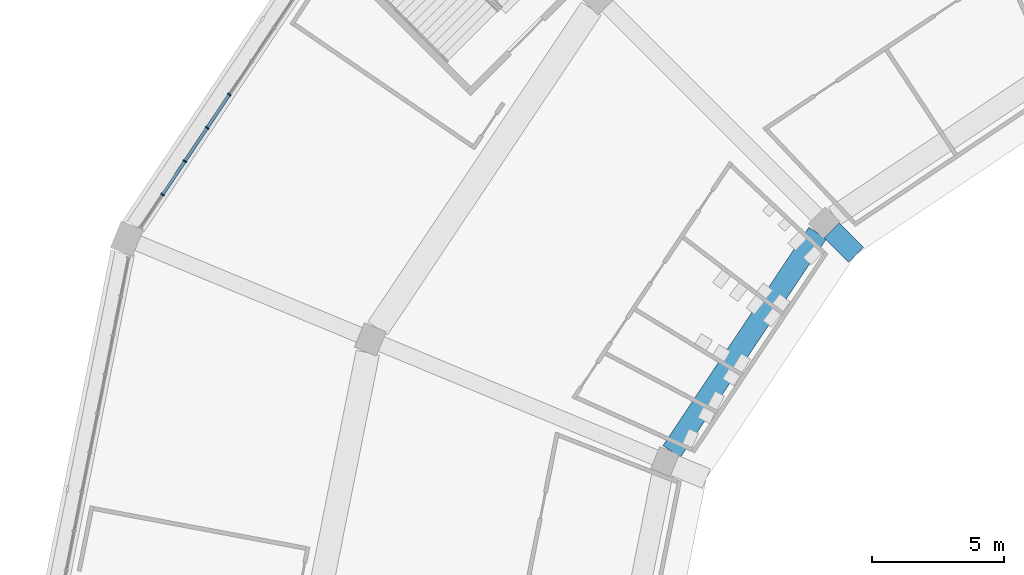
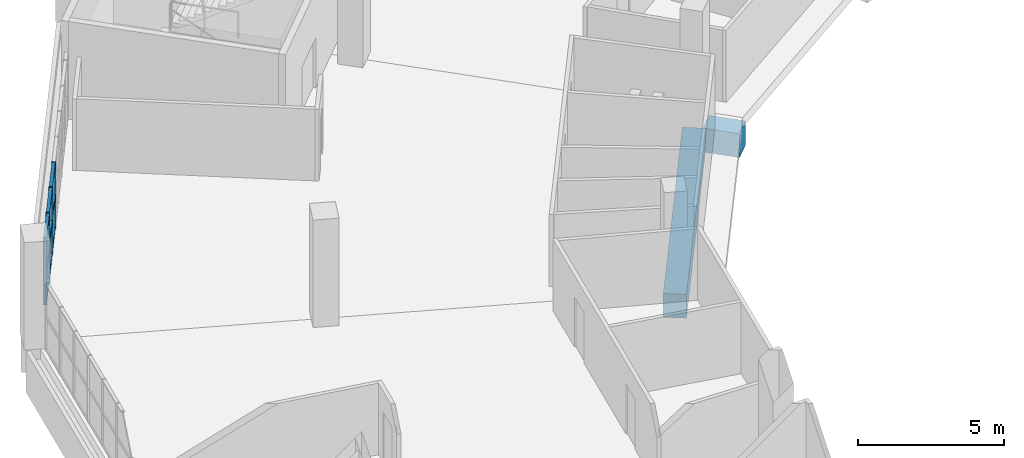
# One storey, part 38 of 199: 13 members, 2 beams, 1 element without a shape of its own.
"""IFC4 building model written with IfcOpenShell, lengths in metres."""

from ifc_helpers import new_model, si_unit, direction, frame, origin, origin_2d, place, context, subcontext, project, spatial, rectangle, extrude, material, material_profile, profile_set, type_object, element, aggregate, save


model = new_model("IFC4")

# Units and contexts
model_context = context("Model", 3, precision=1e-05, world=origin(), true_north=direction((0.0, 1.0)))
body_context = subcontext(model_context, "Body", "Model", "MODEL_VIEW")
ifc_project = project(units=[si_unit("LENGTHUNIT", "METRE"), si_unit("AREAUNIT", "SQUARE_METRE"), si_unit("VOLUMEUNIT", "CUBIC_METRE"), si_unit("PLANEANGLEUNIT", "RADIAN"), si_unit("MASSUNIT", "GRAM", prefix="KILO")], contexts=[model_context])

# Site, building, storey
site_placement = place(None, origin())
site = spatial("IfcSite", under=ifc_project, at=site_placement, CompositionType="ELEMENT")
building_placement = place(site_placement, origin())
building = spatial("IfcBuilding", under=site, at=building_placement, Name="Ogive Plaza Stadium", CompositionType="ELEMENT")
storey_placement = place(building_placement, frame((0.0, 0.0, 4.5)))
storey = spatial("IfcBuildingStorey", under=building, at=storey_placement, Name="L01", CompositionType="ELEMENT", Elevation=4.5)

# Curtain wall, members
ifc_material_1 = material(Name="Bronze-anodised aluminium with laminated glass", Category="aluminium")
curtain_wall_type = type_object("IfcCurtainWallType", Name="Lancet curtain wall", PredefinedType="NOTDEFINED", material=ifc_material_1)
curtain_wall_placement = place(storey_placement, origin())
curtain_wall = element("IfcCurtainWall", 1, at=curtain_wall_placement, inside=storey, type_object=curtain_wall_type, Name="CURTAIN WALL B29 L01", PredefinedType="NOTDEFINED")
ifc_material_2 = material(Name="Bronze-anodised aluminium", Category="aluminium")
ifc_material_profile_1 = material_profile(ifc_material_2, rectangle(XDim=0.14990234375, YDim=0.050048828125, at=origin_2d()), Name="AL 150x50")
ifc_profile_set_1 = profile_set([ifc_material_profile_1], Name="Bronze-anodised aluminium")
member_type_1 = type_object("IfcMemberType", Name="Curtain wall mullion 50x150", PredefinedType="MULLION", material=ifc_profile_set_1)
member_1_placement = place(storey_placement, frame((-78.837158203125, 73.3046875, 0.0), z_axis=(0.0, 0.0, 1.0), x_axis=(-0.831469612303, 0.55557023302, 0.0)))
member_1 = element("IfcMember", 2, at=member_1_placement, type_object=member_type_1, Name="CW-B29-L01 mullion 2", PredefinedType="MULLION", context=body_context, shape_type="SweptSolid", body=[
    extrude(rectangle(XDim=0.14990234375, YDim=0.050048828125, at=origin_2d()), origin(), (0.0, 0.0, 1.0), 2.7900390625),
])
member_2_placement = place(storey_placement, frame((-77.991455078125, 74.570556640625, 0.0), z_axis=(0.0, 0.0, 1.0), x_axis=(-0.831469612303, 0.55557023302, 0.0)))
member_2 = element("IfcMember", 3, at=member_2_placement, type_object=member_type_1, Name="CW-B29-L01 mullion 3", PredefinedType="MULLION", context=body_context, shape_type="SweptSolid", body=[
    extrude(rectangle(XDim=0.14990234375, YDim=0.050048828125, at=origin_2d()), origin(), (0.0, 0.0, 1.0), 2.7900390625),
])
member_3_placement = place(storey_placement, frame((-77.145751953125, 75.836181640625, 0.0), z_axis=(0.0, 0.0, 1.0), x_axis=(-0.831469612303, 0.55557023302, 0.0)))
member_3 = element("IfcMember", 4, at=member_3_placement, type_object=member_type_1, Name="CW-B29-L01 mullion 4", PredefinedType="MULLION", context=body_context, shape_type="SweptSolid", body=[
    extrude(rectangle(XDim=0.14990234375, YDim=0.050048828125, at=origin_2d()), origin(), (0.0, 0.0, 1.0), 2.7900390625),
])
member_4_placement = place(storey_placement, frame((-76.2998046875, 77.10205078125, 0.0), z_axis=(0.0, 0.0, 1.0), x_axis=(-0.831469612303, 0.55557023302, 0.0)))
member_4 = element("IfcMember", 5, at=member_4_placement, type_object=member_type_1, Name="CW-B29-L01 mullion 5", PredefinedType="MULLION", context=body_context, shape_type="SweptSolid", body=[
    extrude(rectangle(XDim=0.14990234375, YDim=0.050048828125, at=origin_2d()), origin(), (0.0, 0.0, 1.0), 2.7900390625),
])
ifc_material_3 = material(Name="Bronze-anodised aluminium", Category="aluminium")
ifc_material_profile_2 = material_profile(ifc_material_3, rectangle(XDim=0.1201171875, YDim=0.050048828125, at=origin_2d()), Name="AL 120x50")
ifc_profile_set_2 = profile_set([ifc_material_profile_2], Name="Bronze-anodised aluminium")
member_type_2 = type_object("IfcMemberType", Name="Curtain wall transom 50x120", PredefinedType="USERDEFINED", material=ifc_profile_set_2)
member_5_placement = place(storey_placement, frame((-78.8232421875, 73.325439453125, 0.02490234375), z_axis=(0.555465240925, 0.83153975619, 0.0), x_axis=(-0.83153975619, 0.555465240925, 0.0)))
member_5 = element("IfcMember", 6, at=member_5_placement, type_object=member_type_2, Name="CW-B29-L01 transom 2.1", ObjectType="TRANSOM", PredefinedType="USERDEFINED", context=body_context, shape_type="SweptSolid", body=[
    extrude(rectangle(XDim=0.1201171875, YDim=0.050048828125, at=origin_2d()), origin(), (0.0, 0.0, 1.0), 1.472412109375),
])
member_6_placement = place(storey_placement, frame((-78.8232421875, 73.325439453125, 1.39501953125), z_axis=(0.555465240925, 0.83153975619, 0.0), x_axis=(-0.83153975619, 0.555465240925, 0.0)))
member_6 = element("IfcMember", 7, at=member_6_placement, type_object=member_type_2, Name="CW-B29-L01 transom 2.2", ObjectType="TRANSOM", PredefinedType="USERDEFINED", context=body_context, shape_type="SweptSolid", body=[
    extrude(rectangle(XDim=0.1201171875, YDim=0.050048828125, at=origin_2d()), origin(), (0.0, 0.0, 1.0), 1.472412109375),
])
member_7_placement = place(storey_placement, frame((-78.8232421875, 73.325439453125, 2.764892578125), z_axis=(0.555465240925, 0.83153975619, 0.0), x_axis=(-0.83153975619, 0.555465240925, 0.0)))
member_7 = element("IfcMember", 8, at=member_7_placement, type_object=member_type_2, Name="CW-B29-L01 transom 2.3", ObjectType="TRANSOM", PredefinedType="USERDEFINED", context=body_context, shape_type="SweptSolid", body=[
    extrude(rectangle(XDim=0.1201171875, YDim=0.050048828125, at=origin_2d()), origin(), (0.0, 0.0, 1.0), 1.472412109375),
])
member_8_placement = place(storey_placement, frame((-77.9775390625, 74.59130859375, 0.02490234375), z_axis=(0.555541835587, 0.831488586159, 0.0), x_axis=(-0.831488586159, 0.555541835587, 0.0)))
member_8 = element("IfcMember", 9, at=member_8_placement, type_object=member_type_2, Name="CW-B29-L01 transom 3.1", ObjectType="TRANSOM", PredefinedType="USERDEFINED", context=body_context, shape_type="SweptSolid", body=[
    extrude(rectangle(XDim=0.1201171875, YDim=0.050048828125, at=origin_2d()), origin(), (0.0, 0.0, 1.0), 1.47216796875),
])
member_9_placement = place(storey_placement, frame((-77.9775390625, 74.59130859375, 1.39501953125), z_axis=(0.555541835587, 0.831488586159, 0.0), x_axis=(-0.831488586159, 0.555541835587, 0.0)))
member_9 = element("IfcMember", 10, at=member_9_placement, type_object=member_type_2, Name="CW-B29-L01 transom 3.2", ObjectType="TRANSOM", PredefinedType="USERDEFINED", context=body_context, shape_type="SweptSolid", body=[
    extrude(rectangle(XDim=0.1201171875, YDim=0.050048828125, at=origin_2d()), origin(), (0.0, 0.0, 1.0), 1.47216796875),
])
member_10_placement = place(storey_placement, frame((-77.9775390625, 74.59130859375, 2.764892578125), z_axis=(0.555541835587, 0.831488586159, 0.0), x_axis=(-0.831488586159, 0.555541835587, 0.0)))
member_10 = element("IfcMember", 11, at=member_10_placement, type_object=member_type_2, Name="CW-B29-L01 transom 3.3", ObjectType="TRANSOM", PredefinedType="USERDEFINED", context=body_context, shape_type="SweptSolid", body=[
    extrude(rectangle(XDim=0.1201171875, YDim=0.050048828125, at=origin_2d()), origin(), (0.0, 0.0, 1.0), 1.47216796875),
])
member_11_placement = place(storey_placement, frame((-77.1318359375, 75.857177734375, 0.02490234375), z_axis=(0.555656472512, 0.831411982446, 0.0), x_axis=(-0.831411982446, 0.555656472512, 0.0)))
member_11 = element("IfcMember", 12, at=member_11_placement, type_object=member_type_2, Name="CW-B29-L01 transom 4.1", ObjectType="TRANSOM", PredefinedType="USERDEFINED", context=body_context, shape_type="SweptSolid", body=[
    extrude(rectangle(XDim=0.1201171875, YDim=0.050048828125, at=origin_2d()), origin(), (0.0, 0.0, 1.0), 1.472412109375),
])
member_12_placement = place(storey_placement, frame((-77.1318359375, 75.857177734375, 1.39501953125), z_axis=(0.555656472512, 0.831411982446, 0.0), x_axis=(-0.831411982446, 0.555656472512, 0.0)))
member_12 = element("IfcMember", 13, at=member_12_placement, type_object=member_type_2, Name="CW-B29-L01 transom 4.2", ObjectType="TRANSOM", PredefinedType="USERDEFINED", context=body_context, shape_type="SweptSolid", body=[
    extrude(rectangle(XDim=0.1201171875, YDim=0.050048828125, at=origin_2d()), origin(), (0.0, 0.0, 1.0), 1.472412109375),
])
member_13_placement = place(storey_placement, frame((-77.1318359375, 75.857177734375, 2.764892578125), z_axis=(0.555656472512, 0.831411982446, 0.0), x_axis=(-0.831411982446, 0.555656472512, 0.0)))
member_13 = element("IfcMember", 14, at=member_13_placement, type_object=member_type_2, Name="CW-B29-L01 transom 4.3", ObjectType="TRANSOM", PredefinedType="USERDEFINED", context=body_context, shape_type="SweptSolid", body=[
    extrude(rectangle(XDim=0.1201171875, YDim=0.050048828125, at=origin_2d()), origin(), (0.0, 0.0, 1.0), 1.472412109375),
])
aggregate(curtain_wall, [member_1, member_2, member_3, member_4, member_5, member_6, member_7, member_8, member_9, member_10, member_11, member_12, member_13])

# Beams
ifc_material_4 = material(Name="Concrete C40/50", Category="concrete")
ifc_material_profile_3 = material_profile(ifc_material_4, rectangle(XDim=0.800048828125, YDim=1.0, at=origin_2d()), Name="RC 800x1000")
ifc_profile_set_3 = profile_set([ifc_material_profile_3], Name="Concrete C40/50")
beam_type_1 = type_object("IfcBeamType", Name="RC radial beam 800x1000", PredefinedType="BEAM", material=ifc_profile_set_3)
beam_1_placement = place(storey_placement, frame((-52.526123046875, 71.026123046875, -0.909912109375), z_axis=(-0.707106781187, 0.707106781187, 0.0), x_axis=(-0.707106781187, -0.707106781187, 0.0)))
element("IfcBeam", 15, at=beam_1_placement, inside=storey, type_object=beam_type_1, Name="Raker tail beam LT R30", PredefinedType="BEAM", context=body_context, shape_type="SweptSolid", body=[
    extrude(rectangle(XDim=0.800048828125, YDim=1.0, at=origin_2d()), origin(), (0.0, 0.0, 1.0), 1.30029296875),
])
ifc_material_5 = material(Name="Concrete C40/50", Category="concrete")
ifc_material_profile_4 = material_profile(ifc_material_5, rectangle(XDim=0.800048828125, YDim=1.0, at=origin_2d()), Name="RC 800x1000")
ifc_profile_set_4 = profile_set([ifc_material_profile_4], Name="Concrete C40/50")
beam_type_2 = type_object("IfcBeamType", Name="RC ring beam 800x1000", PredefinedType="BEAM", material=ifc_profile_set_4)
beam_2_placement = place(storey_placement, frame((-59.521240234375, 63.558349609375, -0.909912109375), z_axis=(0.555570290949, 0.831469573595, 0.0), x_axis=(-0.831469573595, 0.555570290949, 0.0)))
element("IfcBeam", 16, at=beam_2_placement, inside=storey, type_object=beam_type_2, Name="Ring beam F3 L01 B29", PredefinedType="BEAM", context=body_context, shape_type="SweptSolid", body=[
    extrude(rectangle(XDim=0.800048828125, YDim=1.0, at=origin_2d()), origin(), (0.0, 0.0, 1.0), 9.96826171875),
])

save(model, "model.ifc")
